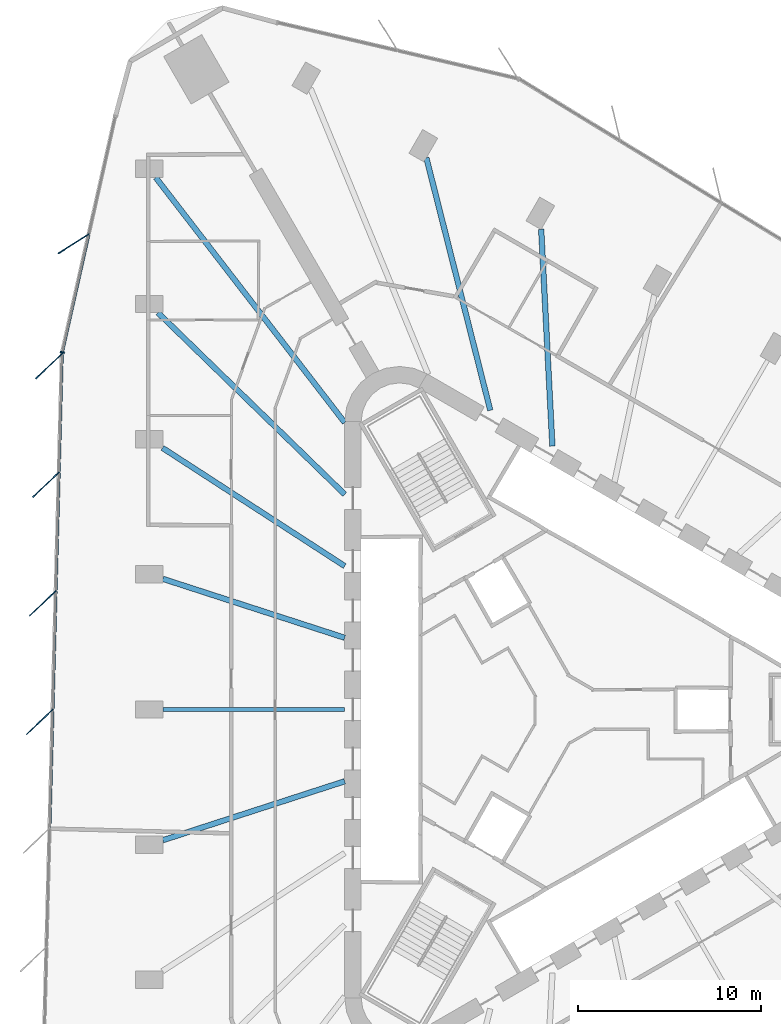
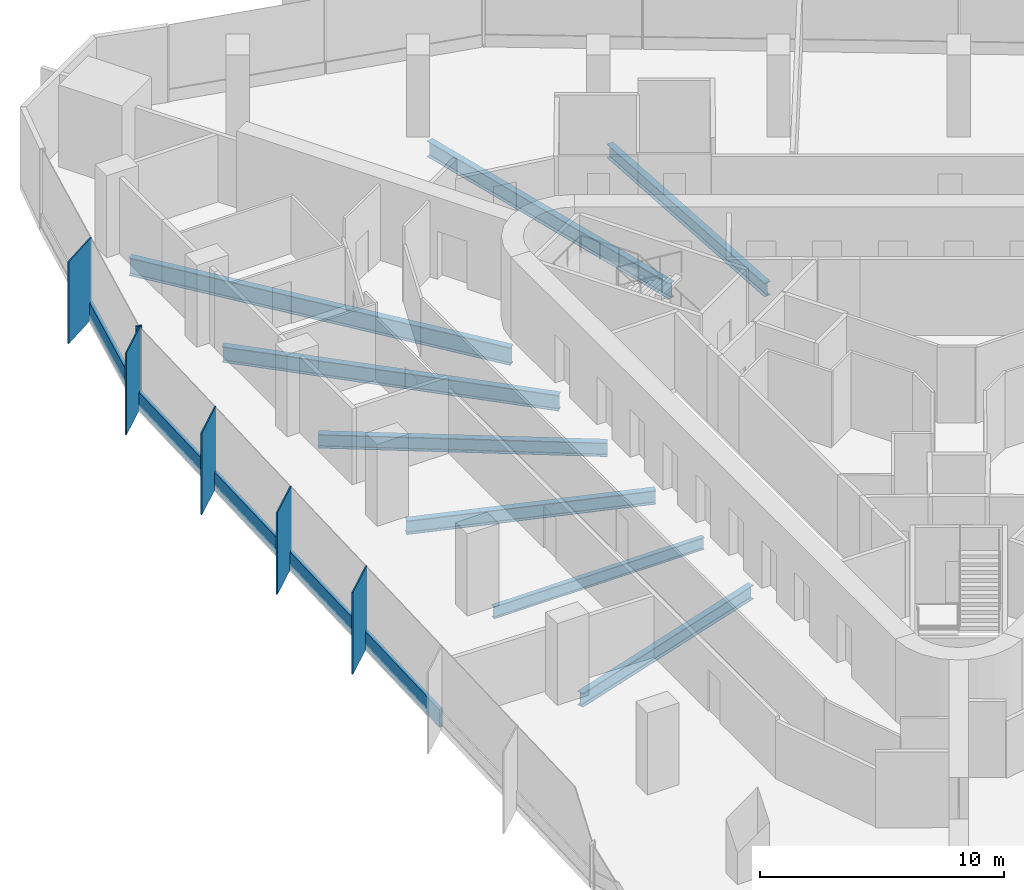
# One storey, part 4 of 14: 11 members, 8 beams, 2 elements without a shape of their own.
"""IFC4 building model written with IfcOpenShell, lengths in metres."""

import ifcopenshell
import ifcopenshell.guid

model = None  # the IFC model being written
_history = None  # IfcOwnerHistory: only IFC2X3 demands one
_inside = {}  # id of a spatial element -> (the spatial element, [elements in it])
_under = {}  # id of a project, library or spatial element -> (it, [spatial elements below it])
_declared = {}  # id of a project -> (the project, [libraries it declares])
_typed = {}  # id of a type object -> (the type object, [elements of that type])
_made_of = {}  # id of a material, layer set ... -> (it, [elements and type objects made of it])


def new_model(schema):
    """Start an empty IFC model of exactly this schema.

    Asked for "IFC4X3", IfcOpenShell would pick the latest addendum, in which some entities
    have other attributes; the version numbers below select the first issue.
    IFC2X3 requires an IfcOwnerHistory on every rooted entity: one is made here for all.
    """
    global model, _history
    if schema == "IFC4X3":
        model = ifcopenshell.file(schema_version=(4, 3, 0, 0))
    else:
        model = ifcopenshell.file(schema=schema)
    _inside.clear()
    _under.clear()
    _declared.clear()
    _typed.clear()
    _made_of.clear()
    _history = None
    if model.schema == "IFC2X3":
        org = make("IfcOrganization", Name="unknown")
        user = make(
            "IfcPersonAndOrganization",
            ThePerson=make("IfcPerson", FamilyName="unknown"),
            TheOrganization=org,
        )
        app = make(
            "IfcApplication",
            ApplicationDeveloper=org,
            Version="unknown",
            ApplicationFullName="unknown",
            ApplicationIdentifier="unknown",
        )
        _history = make(
            "IfcOwnerHistory",
            OwningUser=user,
            OwningApplication=app,
            ChangeAction="ADDED",
            CreationDate=0,
        )
    return model


def make(cls, **values):
    """One entity of the class cls with the attributes given. An attribute that is None is left unset."""
    return model.create_entity(
        cls, **{name: value for name, value in values.items() if value is not None}
    )


def rooted(cls, **values):
    """An entity with a GlobalId (a new one), such as an element, a storey or a relation."""
    return make(cls, GlobalId=ifcopenshell.guid.new(), OwnerHistory=_history, **values)


def si_unit(unit_type, name, prefix=None):
    """IfcSIUnit, for example si_unit("LENGTHUNIT", "METRE", prefix="MILLI")."""
    return make("IfcSIUnit", UnitType=unit_type, Prefix=prefix, Name=name)


def assignment(units):
    """IfcUnitAssignment: the units of a project."""
    return None if units is None else make("IfcUnitAssignment", Units=units)


def point(xyz):
    """IfcCartesianPoint."""
    return None if xyz is None else make("IfcCartesianPoint", Coordinates=xyz)


def direction(xyz):
    """IfcDirection."""
    return None if xyz is None else make("IfcDirection", DirectionRatios=xyz)


def frame(location, z_axis=None, x_axis=None):
    """IfcAxis2Placement3D, a coordinate frame: its origin and axes. An axis left out is left unset."""
    return make(
        "IfcAxis2Placement3D",
        Location=point(location),
        Axis=direction(z_axis),
        RefDirection=direction(x_axis),
    )


def frame_2d(location, x_axis=None):
    """IfcAxis2Placement2D, a coordinate frame in the plane: its origin and x axis."""
    return make(
        "IfcAxis2Placement2D", Location=point(location), RefDirection=direction(x_axis)
    )


def origin():
    """The frame at (0, 0, 0) with its axes left unset."""
    return frame((0.0, 0.0, 0.0))


def origin_2d():
    """The frame at (0, 0) in the plane with its x axis left unset."""
    return frame_2d((0.0, 0.0))


def place(relative_to, where):
    """IfcLocalPlacement: puts the frame where relative to a parent placement (None: the world)."""
    return make(
        "IfcLocalPlacement", PlacementRelTo=relative_to, RelativePlacement=where
    )


def context(
    kind, dimensions, precision=None, world=None, true_north=None, identifier=None
):
    """IfcGeometricRepresentationContext, for example the 3D "Model" context."""
    return make(
        "IfcGeometricRepresentationContext",
        ContextIdentifier=identifier,
        ContextType=kind,
        CoordinateSpaceDimension=dimensions,
        Precision=precision,
        WorldCoordinateSystem=world,
        TrueNorth=true_north,
    )


def subcontext(parent, identifier, kind, view, scale=None):
    """IfcGeometricRepresentationSubContext, for example "Body" below "Model"."""
    return make(
        "IfcGeometricRepresentationSubContext",
        ContextIdentifier=identifier,
        ContextType=kind,
        ParentContext=parent,
        TargetScale=scale,
        TargetView=view,
    )


def project(units=None, contexts=None):
    """IfcProject with its units and contexts."""
    return rooted(
        "IfcProject",
        Name="project",
        RepresentationContexts=contexts,
        UnitsInContext=assignment(units),
    )


def spatial(cls, under=None, at=None, **own):
    """A site, building, storey or space (cls), placed at a placement, below another one or the project."""
    s = rooted(cls, ObjectPlacement=at, **own)
    if under is not None:
        _under.setdefault(under.id(), (under, []))[1].append(s)
    return s


def profile(cls, at=None, kind="AREA", **sizes):
    """A parametric profile (cls). Its sizes go by their IFC names, for example OverallWidth=200.0."""
    return make(cls, ProfileType=kind, Position=at, **sizes)


def rectangle(**sizes):
    """IfcRectangleProfileDef."""
    return profile("IfcRectangleProfileDef", **sizes)


def i_section(**sizes):
    """IfcIShapeProfileDef."""
    return profile("IfcIShapeProfileDef", **sizes)


def extrude(swept, where, along, depth):
    """IfcExtrudedAreaSolid: the profile swept, set in the frame where, extruded along a direction by depth."""
    return make(
        "IfcExtrudedAreaSolid",
        SweptArea=swept,
        Position=where,
        ExtrudedDirection=direction(along),
        Depth=depth,
    )


def shape(context_of_items, identifier, shape_type, items):
    """IfcShapeRepresentation: the items that make up one representation, for example the "Body"."""
    return make(
        "IfcShapeRepresentation",
        ContextOfItems=context_of_items,
        RepresentationIdentifier=identifier,
        RepresentationType=shape_type,
        Items=items,
    )


def material(Name=None, Category=None):
    """IfcMaterial."""
    return make("IfcMaterial", Name=Name, Category=Category)


def material_profile(
    of_material, cross_section, Name=None, Category=None, Priority=None
):
    """IfcMaterialProfile: a cross section and its material."""
    return make(
        "IfcMaterialProfile",
        Name=Name,
        Material=of_material,
        Profile=cross_section,
        Priority=Priority,
        Category=Category,
    )


def profile_set(profiles, Name=None, composite=None):
    """IfcMaterialProfileSet."""
    return make(
        "IfcMaterialProfileSet",
        Name=Name,
        MaterialProfiles=profiles,
        CompositeProfile=composite,
    )


def made_of(thing, what):
    """Note that an element or type object is made of a material, layer set ...; save() writes the relation."""
    if what is not None:
        _made_of.setdefault(what.id(), (what, []))[1].append(thing)
    return thing


def type_object(cls, material=None, **own):
    """A type object (cls), such as IfcWallType, which elements share."""
    return made_of(rooted(cls, **own), material)


def element(
    cls,
    number,
    at=None,
    inside=None,
    cuts=None,
    type_object=None,
    material=None,
    context=None,
    identifier="Body",
    shape_type=None,
    held_by="IfcProductDefinitionShape",
    body=None,
    shapes=None,
    **own,
):
    """One element of the class cls, such as IfcWall. Its Tag is "e" and its number.

    at: its placement. inside: the storey or other place that contains it. cuts: it is an
    opening in that element (IfcRelVoidsElement). A single representation is given by context,
    identifier, shape_type and body (its items); several are given by shapes. held_by: the class
    of the entity that holds the representations. save() writes the other relations.
    """
    e = rooted(cls, Tag="e%d" % number, ObjectPlacement=at, **own)
    if body is not None:
        shapes = [shape(context, identifier, shape_type, body)]
    if shapes is not None:
        e.Representation = make(held_by, Representations=shapes)
    if inside is not None:
        _inside.setdefault(inside.id(), (inside, []))[1].append(e)
    if cuts is not None:
        rooted(
            "IfcRelVoidsElement", RelatingBuildingElement=cuts, RelatedOpeningElement=e
        )
    if type_object is not None:
        _typed.setdefault(type_object.id(), (type_object, []))[1].append(e)
    return made_of(e, material)


def aggregate(whole, parts):
    """IfcRelAggregates: a whole, such as a stair, and the parts it consists of."""
    return rooted("IfcRelAggregates", RelatingObject=whole, RelatedObjects=parts)


def save(model, path):
    """Write the relations noted so far, then the file.

    IfcRelAggregates (storeys below a building ...), IfcRelContainedInSpatialStructure (elements
    in a storey), IfcRelDefinesByType, IfcRelAssociatesMaterial and IfcRelDeclares: one each for
    every whole, place, type object, material and project.
    """
    for whole, parts in _under.values():
        aggregate(whole, parts)
    for where, things in _inside.values():
        rooted(
            "IfcRelContainedInSpatialStructure",
            RelatedElements=things,
            RelatingStructure=where,
        )
    for kind, things in _typed.values():
        rooted("IfcRelDefinesByType", RelatedObjects=things, RelatingType=kind)
    for what, things in _made_of.values():
        rooted("IfcRelAssociatesMaterial", RelatedObjects=things, RelatingMaterial=what)
    for by, libraries in _declared.values():
        rooted("IfcRelDeclares", RelatingContext=by, RelatedDefinitions=libraries)
    model.write(path)


model = new_model("IFC4")

# Units and contexts
model_context = context("Model", 3, precision=1e-05, world=origin(), true_north=direction((0.0, 1.0)))
body_context = subcontext(model_context, "Body", "Model", "MODEL_VIEW")
ifc_project = project(units=[si_unit("LENGTHUNIT", "METRE"), si_unit("AREAUNIT", "SQUARE_METRE"), si_unit("VOLUMEUNIT", "CUBIC_METRE"), si_unit("PLANEANGLEUNIT", "RADIAN"), si_unit("MASSUNIT", "GRAM", prefix="KILO")], contexts=[model_context])

# Site, building, storey
site_placement = place(None, origin())
site = spatial("IfcSite", under=ifc_project, at=site_placement, CompositionType="ELEMENT")
building_placement = place(site_placement, origin())
building = spatial("IfcBuilding", under=site, at=building_placement, Name="Tanit Gate Tower", CompositionType="ELEMENT")
storey_placement = place(building_placement, frame((0.0, 0.0, 123.39990234375)))
storey = spatial("IfcBuildingStorey", under=building, at=storey_placement, Name="L26", CompositionType="ELEMENT", Elevation=123.39990234375)

# Curtain wall, member
ifc_material_1 = material(Name="Aluminium bronze anodised and glass", Category="aluminium")
curtain_wall_type = type_object("IfcCurtainWallType", Name="Curtain wall typical low", PredefinedType="NOTDEFINED", material=ifc_material_1)
curtain_wall_1_placement = place(storey_placement, origin())
curtain_wall_1 = element("IfcCurtainWall", 1, at=curtain_wall_1_placement, inside=storey, type_object=curtain_wall_type, Name="Curtain wall L26 W1", PredefinedType="NOTDEFINED")
ifc_material_2 = material(Name="Aluminium bronze anodised", Category="aluminium")
ifc_material_profile_1 = material_profile(ifc_material_2, rectangle(XDim=2.0, YDim=0.055908203125, at=origin_2d()), Name="56x2000 bronze fin mullion")
ifc_profile_set_1 = profile_set([ifc_material_profile_1], Name="Aluminium bronze anodised")
member_type_1 = type_object("IfcMemberType", Name="FIN MULLION 56x2000 bronze", PredefinedType="MULLION", material=ifc_profile_set_1)
member_1_placement = place(storey_placement, frame((-26.922607421875, 25.471435546875, -0.2998046875), z_axis=(0.0, 0.0, 1.0), x_axis=(0.845158107773, 0.534516391579, 0.0)))
member_1 = element("IfcMember", 2, at=member_1_placement, type_object=member_type_1, Name="Fin mullion L26 W1.2", PredefinedType="MULLION", context=body_context, shape_type="SweptSolid", body=[
    extrude(rectangle(XDim=2.0, YDim=0.055908203125, at=origin_2d()), origin(), (0.0, 0.0, 1.0), 4.099853515625),
])

# Curtain wall, members
curtain_wall_2_placement = place(storey_placement, origin())
curtain_wall_2 = element("IfcCurtainWall", 3, at=curtain_wall_2_placement, inside=storey, type_object=curtain_wall_type, Name="Curtain wall L26 W2", PredefinedType="NOTDEFINED")
member_2_placement = place(storey_placement, frame((-28.269287109375, 18.7841796875, -0.2998046875), z_axis=(0.0, 0.0, 1.0), x_axis=(0.725295571884, 0.688437603131, 0.0)))
member_2 = element("IfcMember", 4, at=member_2_placement, type_object=member_type_1, Name="Fin mullion L26 W2.1", PredefinedType="MULLION", context=body_context, shape_type="SweptSolid", body=[
    extrude(rectangle(XDim=2.0, YDim=0.055908203125, at=origin_2d()), origin(), (0.0, 0.0, 1.0), 4.099853515625),
])
member_3_placement = place(storey_placement, frame((-28.438232421875, 12.298583984375, -0.2998046875), z_axis=(0.0, 0.0, 1.0), x_axis=(0.725295571884, 0.688437603131, 0.0)))
member_3 = element("IfcMember", 5, at=member_3_placement, type_object=member_type_1, Name="Fin mullion L26 W2.2", PredefinedType="MULLION", context=body_context, shape_type="SweptSolid", body=[
    extrude(rectangle(XDim=2.0, YDim=0.055908203125, at=origin_2d()), origin(), (0.0, 0.0, 1.0), 4.099853515625),
])
member_4_placement = place(storey_placement, frame((-28.607421875, 5.813232421875, -0.2998046875), z_axis=(0.0, 0.0, 1.0), x_axis=(0.725295571884, 0.688437603131, 0.0)))
member_4 = element("IfcMember", 6, at=member_4_placement, type_object=member_type_1, Name="Fin mullion L26 W2.3", PredefinedType="MULLION", context=body_context, shape_type="SweptSolid", body=[
    extrude(rectangle(XDim=2.0, YDim=0.055908203125, at=origin_2d()), origin(), (0.0, 0.0, 1.0), 4.099853515625),
])
member_5_placement = place(storey_placement, frame((-28.776611328125, -0.672119140625, -0.2998046875), z_axis=(0.0, 0.0, 1.0), x_axis=(0.725295571884, 0.688437603131, 0.0)))
member_5 = element("IfcMember", 7, at=member_5_placement, type_object=member_type_1, Name="Fin mullion L26 W2.4", PredefinedType="MULLION", context=body_context, shape_type="SweptSolid", body=[
    extrude(rectangle(XDim=2.0, YDim=0.055908203125, at=origin_2d()), origin(), (0.0, 0.0, 1.0), 4.099853515625),
])

# Member
ifc_material_3 = material(Name="Aluminium bronze anodised", Category="aluminium")
ifc_material_profile_2 = material_profile(ifc_material_3, rectangle(XDim=0.239990234375, YDim=0.080078125, at=origin_2d()), Name="80x240 bronze mullion")
ifc_profile_set_2 = profile_set([ifc_material_profile_2], Name="Aluminium bronze anodised")
member_type_2 = type_object("IfcMemberType", Name="Mullion 80x240 typical low", PredefinedType="MULLION", material=ifc_profile_set_2)
member_6_placement = place(storey_placement, frame((-27.550537109375, 19.535888671875, -0.2998046875), z_axis=(0.0, 0.0, 1.0), x_axis=(0.975577194321, -0.21965686404, 0.0)))
member_6 = element("IfcMember", 8, at=member_6_placement, type_object=member_type_2, Name="Mullion L26 W1.3", PredefinedType="MULLION", context=body_context, shape_type="SweptSolid", body=[
    extrude(rectangle(XDim=0.239990234375, YDim=0.080078125, at=origin_2d()), origin(), (0.0, 0.0, 1.0), 4.099853515625),
])

# Beams
ifc_material_4 = material(Name="Steel S355", Category="steel")
ifc_material_profile_3 = material_profile(ifc_material_4, i_section(OverallWidth=0.300048828125, OverallDepth=0.68994140625, WebThickness=0.014404296875, FlangeThickness=0.027099609375, FilletRadius=0.027099609375, at=origin_2d()), Name="HEA 700")
ifc_profile_set_3 = profile_set([ifc_material_profile_3], Name="Steel S355")
beam_type_1 = type_object("IfcBeamType", Name="RADIAL GIRDER HEA 700 S355", PredefinedType="BEAM", material=ifc_profile_set_3)
beam_1_placement = place(storey_placement, frame((-22.05029296875, -7.148193359375, -0.64501953125), z_axis=(0.95126095363, 0.308387091329, 0.0), x_axis=(-0.308387091329, 0.95126095363, 0.0)))
element("IfcBeam", 9, at=beam_1_placement, inside=storey, type_object=beam_type_1, Name="RADIAL GIRDER", PredefinedType="BEAM", context=body_context, shape_type="SweptSolid", body=[
    extrude(i_section(OverallWidth=0.300048828125, OverallDepth=0.68994140625, WebThickness=0.014404296875, FlangeThickness=0.027099609375, FilletRadius=0.027099609375, at=origin_2d()), origin(), (0.0, 0.0, 1.0), 10.4580078125),
])
for number, where, z_axis, x_axis, name in (
    (10, (-1.357177734375, 26.264892578125, -0.64501953125), (0.051595349466, -0.998668072942, 0.0), (0.998668072942, 0.051595349466, 0.0), "RADIAL GIRDER"),
    (11, (-22.067626953125, 14.307861328125, -0.64501953125), (0.839066280254, -0.54402920633, 0.0), (0.54402920633, 0.839066280254, 0.0), "RADIAL GIRDER"),
):
    element("IfcBeam", number, at=place(storey_placement, frame(where, z_axis=z_axis, x_axis=x_axis)), inside=storey, type_object=beam_type_1, Name=name, PredefinedType="BEAM", context=body_context, shape_type="SweptSolid", body=[
        extrude(i_section(OverallWidth=0.300048828125, OverallDepth=0.68994140625, WebThickness=0.014404296875, FlangeThickness=0.027099609375, FilletRadius=0.027099609375, at=origin_2d()), origin(), (0.0, 0.0, 1.0), 11.876953125),
    ])
beam_2_placement = place(storey_placement, frame((-22.05029296875, 7.148193359375, -0.64501953125), z_axis=(0.95126095363, -0.308387091329, 0.0), x_axis=(0.308387091329, 0.95126095363, 0.0)))
element("IfcBeam", 12, at=beam_2_placement, inside=storey, type_object=beam_type_1, Name="RADIAL GIRDER", PredefinedType="BEAM", context=body_context, shape_type="SweptSolid", body=[
    extrude(i_section(OverallWidth=0.300048828125, OverallDepth=0.68994140625, WebThickness=0.014404296875, FlangeThickness=0.027099609375, FilletRadius=0.027099609375, at=origin_2d()), origin(), (0.0, 0.0, 1.0), 10.4580078125),
])
ifc_material_5 = material(Name="Steel S355", Category="steel")
ifc_material_profile_4 = material_profile(ifc_material_5, i_section(OverallWidth=0.300048828125, OverallDepth=0.7900390625, WebThickness=0.014892578125, FlangeThickness=0.028076171875, FilletRadius=0.030029296875, at=origin_2d()), Name="HEA 800")
ifc_profile_set_4 = profile_set([ifc_material_profile_4], Name="Steel S355")
beam_type_2 = type_object("IfcBeamType", Name="RADIAL GIRDER HEA 800 S355", PredefinedType="BEAM", material=ifc_profile_set_4)
for number, where, z_axis, x_axis, name in (
    (13, (-7.63623046875, 30.172119140625, -0.69482421875), (0.245341928532, -0.969436608605, 0.0), (0.969436608605, 0.245341928532, 0.0), "RADIAL GIRDER"),
    (14, (-22.311767578125, 21.69921875, -0.69482421875), (0.716878053462, -0.697198577497, 0.0), (0.697198577497, 0.716878053462, 0.0), "RADIAL GIRDER"),
):
    element("IfcBeam", number, at=place(storey_placement, frame(where, z_axis=z_axis, x_axis=x_axis)), inside=storey, type_object=beam_type_2, Name=name, PredefinedType="BEAM", context=body_context, shape_type="SweptSolid", body=[
        extrude(i_section(OverallWidth=0.300048828125, OverallDepth=0.7900390625, WebThickness=0.014892578125, FlangeThickness=0.028076171875, FilletRadius=0.030029296875, at=origin_2d()), origin(), (0.0, 0.0, 1.0), 14.241943359375),
    ])
ifc_material_6 = material(Name="Steel S355", Category="steel")
ifc_material_profile_5 = material_profile(ifc_material_6, i_section(OverallWidth=0.300048828125, OverallDepth=0.889892578125, WebThickness=0.01611328125, FlangeThickness=0.030029296875, FilletRadius=0.030029296875, at=origin_2d()), Name="HEA 900")
ifc_profile_set_5 = profile_set([ifc_material_profile_5], Name="Steel S355")
beam_type_3 = type_object("IfcBeamType", Name="RADIAL GIRDER HEA 900 S355", PredefinedType="BEAM", material=ifc_profile_set_5)
beam_3_placement = place(storey_placement, frame((-22.433837890625, 29.0908203125, -0.744873046875), z_axis=(0.610670590599, -0.791884732633, 0.0), x_axis=(0.791884732633, 0.610670590599, 0.0)))
element("IfcBeam", 15, at=beam_3_placement, inside=storey, type_object=beam_type_3, Name="RADIAL GIRDER", PredefinedType="BEAM", context=body_context, shape_type="SweptSolid", body=[
    extrude(i_section(OverallWidth=0.300048828125, OverallDepth=0.889892578125, WebThickness=0.01611328125, FlangeThickness=0.030029296875, FilletRadius=0.030029296875, at=origin_2d()), origin(), (0.0, 0.0, 1.0), 16.918701171875),
])
ifc_material_7 = material(Name="Steel S355", Category="steel")
ifc_material_profile_6 = material_profile(ifc_material_7, i_section(OverallWidth=0.219970703125, OverallDepth=0.60009765625, WebThickness=0.011962890625, FlangeThickness=0.01904296875, FilletRadius=0.02392578125, at=origin_2d()), Name="IPE 600")
ifc_profile_set_6 = profile_set([ifc_material_profile_6], Name="Steel S355")
beam_type_4 = type_object("IfcBeamType", Name="RADIAL GIRDER IPE 600 S355", PredefinedType="BEAM", material=ifc_profile_set_6)
beam_4_placement = place(storey_placement, frame((-22.05029296875, 0.0, -0.599853515625), z_axis=(1.0, 0.0, 0.0), x_axis=(0.0, 1.0, 0.0)))
element("IfcBeam", 16, at=beam_4_placement, inside=storey, type_object=beam_type_4, Name="RADIAL GIRDER", PredefinedType="BEAM", context=body_context, shape_type="SweptSolid", body=[
    extrude(i_section(OverallWidth=0.219970703125, OverallDepth=0.60009765625, WebThickness=0.011962890625, FlangeThickness=0.01904296875, FilletRadius=0.02392578125, at=origin_2d()), origin(), (0.0, 0.0, 1.0), 9.9482421875),
])

# Member
ifc_material_8 = material(Name="Aluminium bronze anodised", Category="aluminium")
ifc_material_profile_7 = material_profile(ifc_material_8, rectangle(XDim=0.159912109375, YDim=0.89990234375, at=origin_2d()), Name="160x900 bronze transom")
ifc_profile_set_7 = profile_set([ifc_material_profile_7], Name="Aluminium bronze anodised")
member_type_3 = type_object("IfcMemberType", Name="Transom 160x900 typical low", PredefinedType="USERDEFINED", material=ifc_profile_set_7)
member_7_placement = place(storey_placement, frame((-26.105224609375, 25.954833984375, 0.150146484375), z_axis=(-0.219664987345, -0.975575365277, 0.0), x_axis=(0.975575365277, -0.219664987345, 0.0)))
member_7 = element("IfcMember", 17, at=member_7_placement, type_object=member_type_3, Name="Transom L26 W1.2", ObjectType="TRANSOM", PredefinedType="USERDEFINED", context=body_context, shape_type="SweptSolid", body=[
    extrude(rectangle(XDim=0.159912109375, YDim=0.89990234375, at=origin_2d()), origin(), (0.0, 0.0, 1.0), 6.53955078125),
])

aggregate(curtain_wall_1, [member_1, member_6, member_7])

member_8_placement = place(storey_placement, frame((-27.5615234375, 19.4169921875, 0.150146484375), z_axis=(-0.026061199028, -0.999660349271, 0.0), x_axis=(0.999660349271, -0.026061199028, 0.0)))
member_8 = element("IfcMember", 18, at=member_8_placement, type_object=member_type_3, Name="Transom L26 W2.1", ObjectType="TRANSOM", PredefinedType="USERDEFINED", context=body_context, shape_type="SweptSolid", body=[
    extrude(rectangle(XDim=0.159912109375, YDim=0.89990234375, at=origin_2d()), origin(), (0.0, 0.0, 1.0), 6.40771484375),
])

member_9_placement = place(storey_placement, frame((-27.73046875, 12.931640625, 0.150146484375), z_axis=(-0.026061199028, -0.999660349271, 0.0), x_axis=(0.999660349271, -0.026061199028, 0.0)))
member_9 = element("IfcMember", 19, at=member_9_placement, type_object=member_type_3, Name="Transom L26 W2.2", ObjectType="TRANSOM", PredefinedType="USERDEFINED", context=body_context, shape_type="SweptSolid", body=[
    extrude(rectangle(XDim=0.159912109375, YDim=0.89990234375, at=origin_2d()), origin(), (0.0, 0.0, 1.0), 6.40771484375),
])

member_10_placement = place(storey_placement, frame((-27.899658203125, 6.4462890625, 0.150146484375), z_axis=(-0.026060206441, -0.999660375148, 0.0), x_axis=(0.999660375148, -0.026060206441, 0.0)))
member_10 = element("IfcMember", 20, at=member_10_placement, type_object=member_type_3, Name="Transom L26 W2.3", ObjectType="TRANSOM", PredefinedType="USERDEFINED", context=body_context, shape_type="SweptSolid", body=[
    extrude(rectangle(XDim=0.159912109375, YDim=0.89990234375, at=origin_2d()), origin(), (0.0, 0.0, 1.0), 6.407958984375),
])

member_11_placement = place(storey_placement, frame((-28.068603515625, -0.039306640625, 0.150146484375), z_axis=(-0.026061199028, -0.999660349271, 0.0), x_axis=(0.999660349271, -0.026061199028, 0.0)))
member_11 = element("IfcMember", 21, at=member_11_placement, type_object=member_type_3, Name="Transom L26 W2.4", ObjectType="TRANSOM", PredefinedType="USERDEFINED", context=body_context, shape_type="SweptSolid", body=[
    extrude(rectangle(XDim=0.159912109375, YDim=0.89990234375, at=origin_2d()), origin(), (0.0, 0.0, 1.0), 6.40771484375),
])

aggregate(curtain_wall_2, [member_2, member_3, member_4, member_5, member_8, member_9, member_10, member_11])

save(model, "model.ifc")
